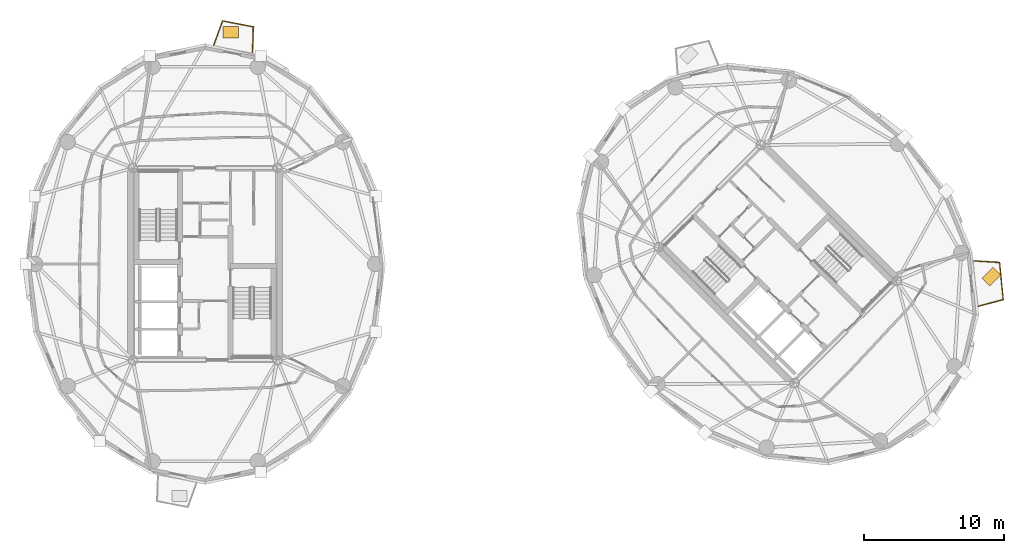
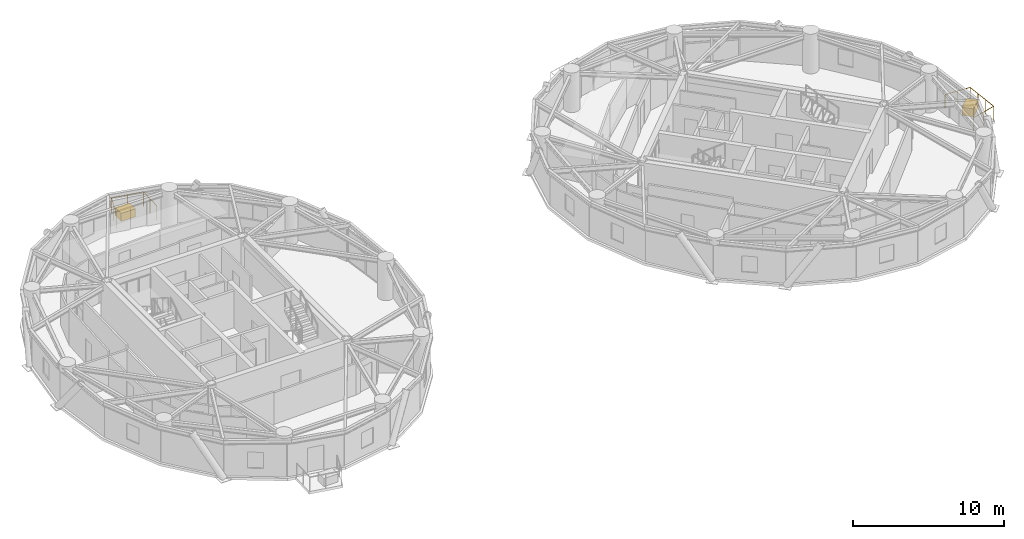
# One storey, part 16 of 16: 2 coverings, 2 railings.
"""IFC4 building model written with IfcOpenShell, lengths in metres."""

from ifc_helpers import new_model, si_unit, direction, frame, origin, origin_2d, place, context, subcontext, project, spatial, rectangle, circle, extrude, source, transform, mapped, material, layer, layer_set, type_object, element, save


model = new_model("IFC4")

# Units and contexts
model_context = context("Model", 3, precision=1e-05, world=origin(), true_north=direction((0.0, 1.0)))
body_context = subcontext(model_context, "Body", "Model", "MODEL_VIEW")
ifc_project = project(units=[si_unit("LENGTHUNIT", "METRE"), si_unit("AREAUNIT", "SQUARE_METRE"), si_unit("VOLUMEUNIT", "CUBIC_METRE"), si_unit("PLANEANGLEUNIT", "RADIAN"), si_unit("MASSUNIT", "GRAM", prefix="KILO")], contexts=[model_context])

# Site, building, storey
site_placement = place(None, origin())
site = spatial("IfcSite", under=ifc_project, at=site_placement, CompositionType="ELEMENT")
building_placement = place(site_placement, origin())
building = spatial("IfcBuilding", under=site, at=building_placement, Name="Cununo Teusaquillo Station Towers", CompositionType="ELEMENT")
storey_placement = place(building_placement, frame((0.0, 0.0, 226.050048828125)))
storey = spatial("IfcBuildingStorey", under=building, at=storey_placement, Name="L72", CompositionType="ELEMENT", Elevation=226.050048828125)

# Railings
ifc_material_1 = material(Name="Anodised dark bronze aluminium EN AW-6063-T6", Category="aluminium")
railing_type_1 = type_object("IfcRailingType", Name="RL-EXT-BALUS", PredefinedType="BALUSTRADE", material=ifc_material_1)
railing_1_placement = place(storey_placement, frame((17.115234375, 40.180419921875, 0.0)))
element("IfcRailing", 1, at=railing_1_placement, inside=storey, type_object=railing_type_1, Name="L72 Tower A Balcony Guardrail C04", PredefinedType="BALUSTRADE", context=body_context, shape_type="SweptSolid", body=[
    extrude(circle(Radius=0.02392578125, at=origin_2d()), frame((0.0, 0.0, 1.17578125), z_axis=(0.344196323776, 0.938897699805, 0.0), x_axis=(-0.938897699805, 0.344196323776, 0.0)), (0.0, 0.0, 1.0), 1.844970703125),
    extrude(circle(Radius=0.02392578125, at=origin_2d()), frame((0.635009765625, 1.732177734375, 1.17578125), z_axis=(0.981834932982, -0.18973709278, 0.0), x_axis=(0.18973709278, 0.981834932982, 0.0)), (0.0, 0.0, 1.0), 2.239013671875),
    extrude(circle(Radius=0.02392578125, at=origin_2d()), frame((2.833251953125, 1.307373046875, 1.17578125), z_axis=(-0.030305152758, -0.999540693377, 0.0), x_axis=(0.999540693377, -0.030305152758, 0.0)), (0.0, 0.0, 1.0), 1.8447265625),
    extrude(circle(Radius=0.02099609375, at=origin_2d()), origin(), (0.0, 0.0, 1.0), 1.15185546875),
    extrude(circle(Radius=0.02099609375, at=origin_2d()), frame((0.3173828125, 0.8662109375, 0.0)), (0.0, 0.0, 1.0), 1.15185546875),
    extrude(circle(Radius=0.02099609375, at=origin_2d()), frame((0.635009765625, 1.732177734375, 0.0)), (0.0, 0.0, 1.0), 1.15185546875),
    extrude(circle(Radius=0.02099609375, at=origin_2d()), frame((1.734130859375, 1.519775390625, 0.0)), (0.0, 0.0, 1.0), 1.15185546875),
    extrude(circle(Radius=0.02099609375, at=origin_2d()), frame((2.833251953125, 1.307373046875, 0.0)), (0.0, 0.0, 1.0), 1.15185546875),
    extrude(circle(Radius=0.02099609375, at=origin_2d()), frame((2.80517578125, 0.38525390625, 0.0)), (0.0, 0.0, 1.0), 1.15185546875),
    extrude(circle(Radius=0.02099609375, at=origin_2d()), frame((2.77734375, -0.53662109375, 0.0)), (0.0, 0.0, 1.0), 1.15185546875),
])
ifc_material_2 = material(Name="Anodised dark bronze aluminium EN AW-6063-T6", Category="aluminium")
railing_type_2 = type_object("IfcRailingType", Name="RL-EXT-GUARD", PredefinedType="GUARDRAIL", material=ifc_material_2)
railing_2_placement = place(storey_placement, frame((71.53662109375, 24.726806640625, 0.0)))
element("IfcRailing", 2, at=railing_2_placement, inside=storey, type_object=railing_type_2, Name="L72 Tower B Balcony Guardrail C17", PredefinedType="GUARDRAIL", context=body_context, shape_type="SweptSolid", body=[
    extrude(circle(Radius=0.02392578125, at=origin_2d()), frame((0.0, 0.0, 1.1259765625), z_axis=(0.998099930185, -0.061615983027, 0.0), x_axis=(0.061615983027, 0.998099930185, 0.0)), (0.0, 0.0, 1.0), 1.854248046875),
    extrude(circle(Radius=0.02392578125, at=origin_2d()), frame((1.850830078125, -0.1142578125, 1.1259765625), z_axis=(0.098635601058, -0.995123619559, 0.0), x_axis=(0.995123619559, 0.098635601058, 0.0)), (0.0, 0.0, 1.0), 2.673095703125),
    extrude(circle(Radius=0.02392578125, at=origin_2d()), frame((2.114501953125, -2.7744140625, 1.1259765625), z_axis=(-0.966566218565, -0.256417131113, 0.0), x_axis=(0.256417131113, -0.966566218565, 0.0)), (0.0, 0.0, 1.0), 1.854736328125),
    extrude(circle(Radius=0.02099609375, at=origin_2d()), origin(), (0.0, 0.0, 1.0), 1.101806640625),
    extrude(circle(Radius=0.02099609375, at=origin_2d()), frame((0.92529296875, -0.05712890625, 0.0)), (0.0, 0.0, 1.0), 1.101806640625),
    extrude(circle(Radius=0.02099609375, at=origin_2d()), frame((1.850830078125, -0.1142578125, 0.0)), (0.0, 0.0, 1.0), 1.101806640625),
    extrude(circle(Radius=0.02099609375, at=origin_2d()), frame((1.938720703125, -1.0009765625, 0.0)), (0.0, 0.0, 1.0), 1.101806640625),
    extrude(circle(Radius=0.02099609375, at=origin_2d()), frame((2.026611328125, -1.8876953125, 0.0)), (0.0, 0.0, 1.0), 1.101806640625),
    extrude(circle(Radius=0.02099609375, at=origin_2d()), frame((2.114501953125, -2.7744140625, 0.0)), (0.0, 0.0, 1.0), 1.101806640625),
    extrude(circle(Radius=0.02099609375, at=origin_2d()), frame((1.21826171875, -3.01220703125, 0.0)), (0.0, 0.0, 1.0), 1.101806640625),
    extrude(circle(Radius=0.02099609375, at=origin_2d()), frame((0.32177734375, -3.25, 0.0)), (0.0, 0.0, 1.0), 1.101806640625),
])

# Coverings
ifc_material_3 = material(Name="Architectural GRC planter shell and engineered root-zone substrate", Category="concrete")
ifc_layer = layer(ifc_material_3, 0.64990234375)
ifc_layer_set = layer_set([ifc_layer], Name="Architectural GRC planter shell and engineered root-zone substrate")
covering_type = type_object("IfcCoveringType", Name="COV-TREE-PLANTER", PredefinedType="CLADDING", material=ifc_layer_set)
shared_shape = source(origin(), body_context, "Body", "SweptSolid", [
    extrude(rectangle(XDim=1.10009765625, YDim=0.800048828125, at=origin_2d()), origin(), (0.0, 0.0, 1.0), 0.64990234375),
])
for number, where, z_axis, x_axis, name in (
    (3, (18.341796875, 41.102783203125, 0.0), (0.0, 0.0, 1.0), (1.0, 0.0, 0.0), "L72 Tower A Balcony Tree PLANTER C04"),
    (4, (72.79638671875, 23.59765625, 0.0), (0.0, 0.0, 1.0), (0.707106781187, 0.707106781187, 0.0), "L72 Tower B Balcony Tree PLANTER C17"),
):
    element("IfcCovering", number, at=place(storey_placement, frame(where, z_axis=z_axis, x_axis=x_axis)), inside=storey, type_object=covering_type, Name=name, PredefinedType="CLADDING", context=body_context, shape_type="MappedRepresentation", body=[
        mapped(shared_shape, transform((0.0, 0.0, 0.0), x_axis=(1.0, 0.0, 0.0), y_axis=(0.0, 1.0, 0.0), z_axis=(0.0, 0.0, 1.0), scale=1.0)),
    ])

save(model, "model.ifc")
